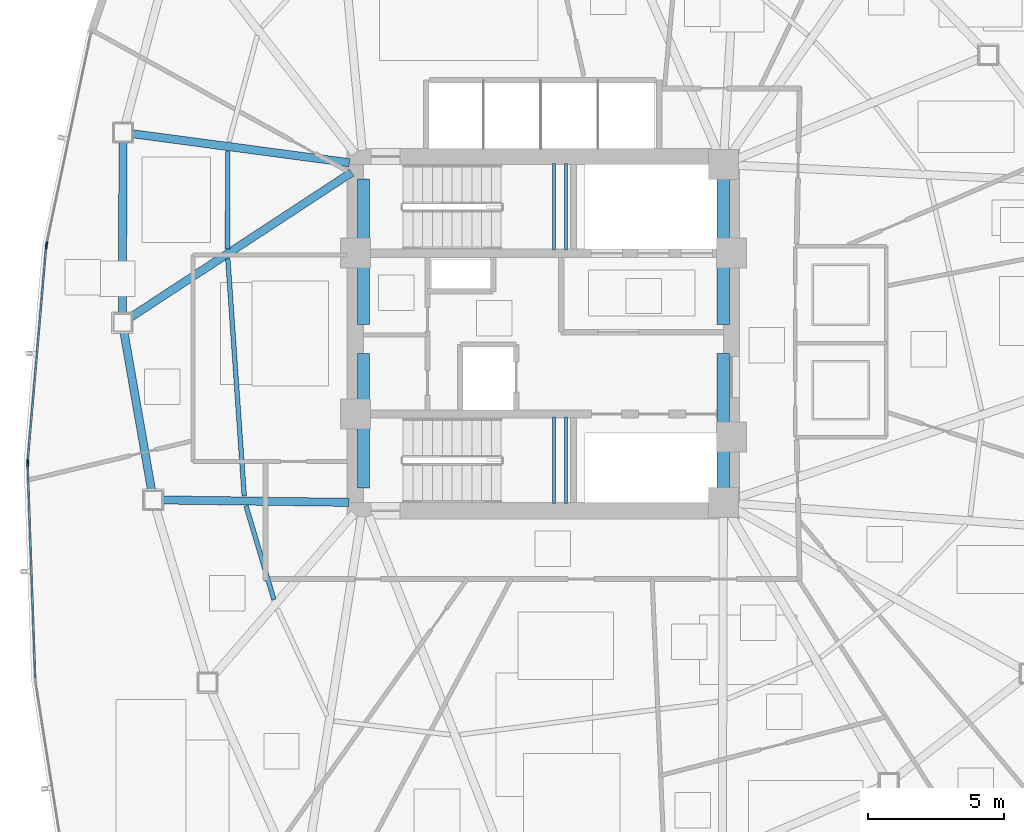
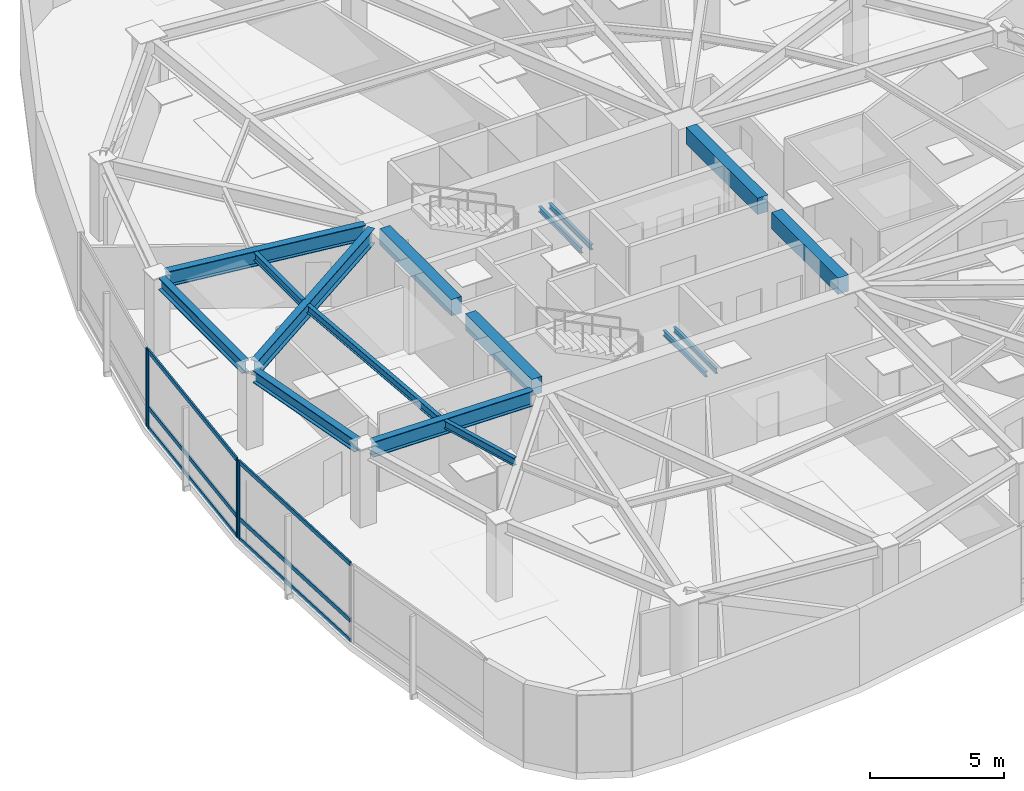
# One storey, part 4 of 17: 16 beams, 10 members, 3 elements without a shape of their own.
"""IFC4 building model written with IfcOpenShell, lengths in metres."""

from ifc_helpers import new_model, si_unit, direction, frame, origin, origin_2d, place, context, subcontext, project, spatial, rectangle, hollow_rectangle, i_section, extrude, source, transform, mapped, material, layer, layer_set, material_profile, profile_set, type_object, type_shapes, element, aggregate, save


model = new_model("IFC4")

# Units and contexts
model_context = context("Model", 3, precision=1e-05, world=origin(), true_north=direction((0.0, 1.0)))
body_context = subcontext(model_context, "Body", "Model", "MODEL_VIEW")
ifc_project = project(units=[si_unit("LENGTHUNIT", "METRE"), si_unit("AREAUNIT", "SQUARE_METRE"), si_unit("VOLUMEUNIT", "CUBIC_METRE"), si_unit("PLANEANGLEUNIT", "RADIAN"), si_unit("MASSUNIT", "GRAM", prefix="KILO")], contexts=[model_context])

# Site, building, storey
site_placement = place(None, origin())
site = spatial("IfcSite", under=ifc_project, at=site_placement, CompositionType="ELEMENT")
building_placement = place(site_placement, origin())
building = spatial("IfcBuilding", under=site, at=building_placement, Name="Tavelor Broadcast Tower", CompositionType="ELEMENT")
storey_placement = place(building_placement, frame((0.0, 0.0, 123.300048828125)))
storey = spatial("IfcBuildingStorey", under=building, at=storey_placement, Name="L28", CompositionType="ELEMENT", Elevation=123.300048828125)

# Beams
ifc_material_1 = material(Name="Concrete C40/50", Category="concrete")
ifc_material_profile_1 = material_profile(ifc_material_1, rectangle(XDim=0.449951171875, YDim=0.75, at=origin_2d()), Name="RC 450x750")
ifc_profile_set_1 = profile_set([ifc_material_profile_1], Name="Concrete C40/50")
beam_type_1 = type_object("IfcBeamType", Name="Basement Core Trim Beam 450x750", PredefinedType="BEAM", material=ifc_profile_set_1)
for number, where, z_axis, x_axis, name in (
    (1, (43.39990234375, 45.327880859375, 3.175048828125), (0.0, 1.0, 0.0), (-1.0, 0.0, 0.0), "L28 Core West-N Tie Girder"),
    (2, (56.60009765625, 45.327880859375, 3.175048828125), (0.0, 1.0, 0.0), (-1.0, 0.0, 0.0), "L28 Core East-N Tie Girder"),
):
    element("IfcBeam", number, at=place(storey_placement, frame(where, z_axis=z_axis, x_axis=x_axis)), inside=storey, type_object=beam_type_1, Name=name, PredefinedType="BEAM", context=body_context, shape_type="SweptSolid", body=[
        extrude(rectangle(XDim=0.449951171875, YDim=0.75, at=origin_2d()), origin(), (0.0, 0.0, 1.0), 5.34423828125),
    ])
for number, where, z_axis, x_axis, name in (
    (3, (43.39990234375, 39.327880859375, 3.175048828125), (0.0, 1.0, 0.0), (-1.0, 0.0, 0.0), "L28 Core West-S Tie Girder"),
    (4, (56.60009765625, 39.327880859375, 3.175048828125), (0.0, 1.0, 0.0), (-1.0, 0.0, 0.0), "L28 Core East-S Tie Girder"),
):
    element("IfcBeam", number, at=place(storey_placement, frame(where, z_axis=z_axis, x_axis=x_axis)), inside=storey, type_object=beam_type_1, Name=name, PredefinedType="BEAM", context=body_context, shape_type="SweptSolid", body=[
        extrude(rectangle(XDim=0.449951171875, YDim=0.75, at=origin_2d()), origin(), (0.0, 0.0, 1.0), 4.944091796875),
    ])
ifc_material_2 = material(Name="Steel S355", Category="steel")
ifc_material_profile_2 = material_profile(ifc_material_2, i_section(OverallWidth=0.169921875, OverallDepth=0.360107421875, WebThickness=0.008056640625, FlangeThickness=0.0126953125, at=origin_2d()), Name="IPE 360")
ifc_profile_set_2 = profile_set([ifc_material_profile_2], Name="Steel S355")
beam_type_2 = type_object("IfcBeamType", Name="Composite Floor Joist T3 IPE 360", PredefinedType="JOIST", material=ifc_profile_set_2)
beam_1_placement = place(storey_placement, frame((38.413818359375, 51.685302734375, 3.369873046875), z_axis=(-0.002320654457, -0.999997307278, 0.0), x_axis=(0.999997307278, -0.002320654457, 0.0)))
element("IfcBeam", 5, at=beam_1_placement, inside=storey, type_object=beam_type_2, Name="L28 Secondary Composite Floor Joist 03", PredefinedType="JOIST", context=body_context, shape_type="SweptSolid", body=[
    extrude(i_section(OverallWidth=0.169921875, OverallDepth=0.360107421875, WebThickness=0.008056640625, FlangeThickness=0.0126953125, at=origin_2d()), origin(), (0.0, 0.0, 1.0), 3.576904296875),
])
beam_2_placement = place(storey_placement, frame((38.41748046875, 47.74658203125, 3.369873046875), z_axis=(0.069100565304, -0.997609699168, 0.0), x_axis=(0.997609699168, 0.069100565304, 0.0)))
element("IfcBeam", 6, at=beam_2_placement, inside=storey, type_object=beam_type_2, Name="L28 Secondary Composite Floor Joist 04", PredefinedType="JOIST", context=body_context, shape_type="SweptSolid", body=[
    extrude(i_section(OverallWidth=0.169921875, OverallDepth=0.360107421875, WebThickness=0.008056640625, FlangeThickness=0.0126953125, at=origin_2d()), origin(), (0.0, 0.0, 1.0), 8.730224609375),
])
beam_3_placement = place(storey_placement, frame((39.084716796875, 38.68310546875, 3.369873046875), z_axis=(0.285203072184, -0.958467113477, 0.0), x_axis=(0.958467113477, 0.285203072184, 0.0)))
element("IfcBeam", 7, at=beam_3_placement, inside=storey, type_object=beam_type_2, Name="L28 Secondary Composite Floor Joist 05", PredefinedType="JOIST", context=body_context, shape_type="SweptSolid", body=[
    extrude(i_section(OverallWidth=0.169921875, OverallDepth=0.360107421875, WebThickness=0.008056640625, FlangeThickness=0.0126953125, at=origin_2d()), origin(), (0.0, 0.0, 1.0), 3.593505859375),
])
ifc_material_profile_3 = material_profile(ifc_material_2, i_section(OverallWidth=0.300048828125, OverallDepth=0.550048828125, WebThickness=0.014892578125, FlangeThickness=0.029052734375, at=origin_2d()), Name="HEB 550")
ifc_profile_set_3 = profile_set([ifc_material_profile_3], Name="Steel S355")
beam_type_3 = type_object("IfcBeamType", Name="Perimeter Spandrel Beam T3 HEB 550", PredefinedType="SPANDREL", material=ifc_profile_set_3)
beam_4_placement = place(storey_placement, frame((34.57373046875, 52.043212890625, 3.27490234375), z_axis=(-0.00410245019, -0.999991584916, 0.0), x_axis=(0.999991584916, -0.00410245019, 0.0)))
element("IfcBeam", 8, at=beam_4_placement, inside=storey, type_object=beam_type_3, Name="L28 Framed-Tube Ring Spandrel 03", PredefinedType="SPANDREL", context=body_context, shape_type="SweptSolid", body=[
    extrude(i_section(OverallWidth=0.300048828125, OverallDepth=0.550048828125, WebThickness=0.014892578125, FlangeThickness=0.029052734375, at=origin_2d()), origin(), (0.0, 0.0, 1.0), 6.30810546875),
])
beam_5_placement = place(storey_placement, frame((34.604248046875, 45.068115234375, 3.27490234375), z_axis=(0.17197754126, -0.985100870623, 0.0), x_axis=(0.985100870623, 0.17197754126, 0.0)))
element("IfcBeam", 9, at=beam_5_placement, inside=storey, type_object=beam_type_3, Name="L28 Framed-Tube Ring Spandrel 04", PredefinedType="SPANDREL", context=body_context, shape_type="SweptSolid", body=[
    extrude(i_section(OverallWidth=0.300048828125, OverallDepth=0.550048828125, WebThickness=0.014892578125, FlangeThickness=0.029052734375, at=origin_2d()), origin(), (0.0, 0.0, 1.0), 5.925537109375),
])
ifc_material_profile_4 = material_profile(ifc_material_2, i_section(OverallWidth=0.300048828125, OverallDepth=0.68994140625, WebThickness=0.014404296875, FlangeThickness=0.027099609375, at=origin_2d()), Name="HEA 700")
ifc_profile_set_4 = profile_set([ifc_material_profile_4], Name="Steel S355")
beam_type_4 = type_object("IfcBeamType", Name="Radial Floor Girder T3 HEA 700", PredefinedType="BEAM", material=ifc_profile_set_4)
beam_6_placement = place(storey_placement, frame((42.876708984375, 51.27001953125, 3.204833984375), z_axis=(-0.991191527329, 0.132436234281, 0.0), x_axis=(-0.132436234281, -0.991191527329, 0.0)))
element("IfcBeam", 10, at=beam_6_placement, inside=storey, type_object=beam_type_4, Name="L28 Radial Primary Floor Girder 03", PredefinedType="BEAM", context=body_context, shape_type="SweptSolid", body=[
    extrude(i_section(OverallWidth=0.300048828125, OverallDepth=0.68994140625, WebThickness=0.014404296875, FlangeThickness=0.027099609375, at=origin_2d()), origin(), (0.0, 0.0, 1.0), 8.039306640625),
])
beam_7_placement = place(storey_placement, frame((42.95849609375, 50.91064453125, 3.204833984375), z_axis=(-0.836455571638, -0.548034740391, 0.0), x_axis=(0.548034740391, -0.836455571638, 0.0)))
element("IfcBeam", 11, at=beam_7_placement, inside=storey, type_object=beam_type_4, Name="L28 Radial Primary Floor Girder 04", PredefinedType="BEAM", context=body_context, shape_type="SweptSolid", body=[
    extrude(i_section(OverallWidth=0.300048828125, OverallDepth=0.68994140625, WebThickness=0.014404296875, FlangeThickness=0.027099609375, at=origin_2d()), origin(), (0.0, 0.0, 1.0), 9.720947265625),
])
beam_8_placement = place(storey_placement, frame((42.8720703125, 38.806884765625, 3.204833984375), z_axis=(-0.999916440376, 0.012927190963, 0.0), x_axis=(-0.012927190963, -0.999916440376, 0.0)))
element("IfcBeam", 12, at=beam_8_placement, inside=storey, type_object=beam_type_4, Name="L28 Radial Primary Floor Girder 05", PredefinedType="BEAM", context=body_context, shape_type="SweptSolid", body=[
    extrude(i_section(OverallWidth=0.300048828125, OverallDepth=0.68994140625, WebThickness=0.014404296875, FlangeThickness=0.027099609375, at=origin_2d()), origin(), (0.0, 0.0, 1.0), 6.85546875),
])
ifc_material_profile_5 = material_profile(ifc_material_2, i_section(OverallWidth=0.1201171875, OverallDepth=0.239990234375, WebThickness=0.006103515625, FlangeThickness=0.009765625, at=origin_2d()), Name="IPE 240")
ifc_profile_set_5 = profile_set([ifc_material_profile_5], Name="Steel S355")
beam_type_5 = type_object("IfcBeamType", Name="Stairwell Landing Support Trimmer Beam IPE240", PredefinedType="BEAM", material=ifc_profile_set_5)
for number, where, z_axis, x_axis, name in (
    (13, (50.385009765625, 48.06005859375, 1.60986328125), (0.0, 1.0, 0.0), (-1.0, 0.0, 0.0), "L28 Stair Landing Support Beam 89"),
    (14, (50.824951171875, 48.06005859375, 1.60986328125), (0.0, 1.0, 0.0), (-1.0, 0.0, 0.0), "L28 Stair Landing Support Beam 90"),
    (15, (50.385009765625, 38.760009765625, 1.60986328125), (0.0, 1.0, 0.0), (-1.0, 0.0, 0.0), "L28 Stair Landing Support Beam 303"),
    (16, (50.824951171875, 38.760009765625, 1.60986328125), (0.0, 1.0, 0.0), (-1.0, 0.0, 0.0), "L28 Stair Landing Support Beam 304"),
):
    element("IfcBeam", number, at=place(storey_placement, frame(where, z_axis=z_axis, x_axis=x_axis)), inside=storey, type_object=beam_type_5, Name=name, PredefinedType="BEAM", context=body_context, shape_type="SweptSolid", body=[
        extrude(i_section(OverallWidth=0.1201171875, OverallDepth=0.239990234375, WebThickness=0.006103515625, FlangeThickness=0.009765625, at=origin_2d()), origin(), (0.0, 0.0, 1.0), 3.179931640625),
    ])

# Curtain wall, member
ifc_material_3 = material(Name="Architectural Anodized Aluminium", Category="aluminium")
ifc_layer = layer(ifc_material_3, 0.18994140625)
ifc_layer_set = layer_set([ifc_layer], Name="Architectural Anodized Aluminium")
curtain_wall_type = type_object("IfcCurtainWallType", Name="Tower Mid-Zone Acoustic Curtain Wall CW03", PredefinedType="NOTDEFINED", material=ifc_layer_set)
curtain_wall_1_placement = place(storey_placement, origin())
curtain_wall_1 = element("IfcCurtainWall", 17, at=curtain_wall_1_placement, inside=storey, type_object=curtain_wall_type, Name="L28 Curtain Wall CW03 Run 277", PredefinedType="NOTDEFINED")
ifc_material_profile_6 = material_profile(ifc_material_3, hollow_rectangle(XDim=0.068115234375, YDim=0.18994140625, WallThickness=0.02197265625, at=origin_2d()), Name="RHS 68x190x22")
ifc_profile_set_6 = profile_set([ifc_material_profile_6], Name="Architectural Anodized Aluminium")
member_type_1 = type_object("IfcMemberType", Name="CW03 Extruded Aluminium Mullion 68x190", PredefinedType="MULLION", material=ifc_profile_set_6)
shared_shape_1 = source(origin(), body_context, "Body", "SweptSolid", [
    extrude(hollow_rectangle(XDim=0.068115234375, YDim=0.18994140625, WallThickness=0.02197265625, at=origin_2d()), origin(), (0.0, 0.0, 1.0), 3.550048828125),
])
type_shapes(member_type_1, [shared_shape_1])
member_1_placement = place(storey_placement, frame((31.7685546875, 48.273193359375, 0.0), z_axis=(0.0, 0.0, 1.0), x_axis=(0.978597804407, -0.205782256789, 0.0)))
member_1 = element("IfcMember", 18, at=member_1_placement, type_object=member_type_1, Name="CW03 mullion 2", PredefinedType="MULLION", context=body_context, shape_type="MappedRepresentation", body=[
    mapped(shared_shape_1, transform((0.0, 0.0, 0.0), scale=1.0)),
])
aggregate(curtain_wall_1, [member_1])

# Curtain wall, members
curtain_wall_2_placement = place(storey_placement, origin())
curtain_wall_2 = element("IfcCurtainWall", 19, at=curtain_wall_2_placement, inside=storey, type_object=curtain_wall_type, Name="L28 Curtain Wall CW03 Run 278", PredefinedType="NOTDEFINED")
member_2_placement = place(storey_placement, frame((31.75439453125, 48.176513671875, 0.0), z_axis=(0.0, 0.0, 1.0), x_axis=(0.99630716044, -0.085860596646, 0.0)))
member_2 = element("IfcMember", 20, at=member_2_placement, type_object=member_type_1, Name="CW03 mullion 1", PredefinedType="MULLION", context=body_context, shape_type="MappedRepresentation", body=[
    mapped(shared_shape_1, transform((0.0, 0.0, 0.0), scale=1.0)),
])
member_3_placement = place(storey_placement, frame((31.076904296875, 40.316650390625, 0.0), z_axis=(0.0, 0.0, 1.0), x_axis=(0.99630716044, -0.085860596646, 0.0)))
member_3 = element("IfcMember", 21, at=member_3_placement, type_object=member_type_1, Name="CW03 mullion 2", PredefinedType="MULLION", context=body_context, shape_type="MappedRepresentation", body=[
    mapped(shared_shape_1, transform((0.0, 0.0, 0.0), scale=1.0)),
])

# Curtain wall, member
curtain_wall_3_placement = place(storey_placement, origin())
curtain_wall_3 = element("IfcCurtainWall", 22, at=curtain_wall_3_placement, inside=storey, type_object=curtain_wall_type, Name="L28 Curtain Wall CW03 Run 279", PredefinedType="NOTDEFINED")
member_4_placement = place(storey_placement, frame((31.074462890625, 40.21875, 0.0), z_axis=(0.0, 0.0, 1.0), x_axis=(0.999374487535, 0.035364299293, 0.0)))
member_4 = element("IfcMember", 23, at=member_4_placement, type_object=member_type_1, Name="CW03 mullion 1", PredefinedType="MULLION", context=body_context, shape_type="MappedRepresentation", body=[
    mapped(shared_shape_1, transform((0.0, 0.0, 0.0), scale=1.0)),
])

# Member
ifc_material_profile_7 = material_profile(ifc_material_3, hollow_rectangle(XDim=0.068115234375, YDim=0.18994140625, WallThickness=0.02197265625, at=origin_2d()), Name="RHS 68x190x22")
ifc_profile_set_7 = profile_set([ifc_material_profile_7], Name="Architectural Anodized Aluminium")
member_type_2 = type_object("IfcMemberType", Name="CW03 Extruded Aluminium Transom 68x190", PredefinedType="USERDEFINED", material=ifc_profile_set_7)
shared_shape_2 = source(origin(), body_context, "Body", "SweptSolid", [
    extrude(hollow_rectangle(XDim=0.068115234375, YDim=0.18994140625, WallThickness=0.02197265625, at=origin_2d()), origin(), (0.0, 0.0, 1.0), 7.821044921875),
])
type_shapes(member_type_2, [shared_shape_2])
member_5_placement = place(storey_placement, frame((31.75146484375, 48.142578125, 0.033935546875), z_axis=(-0.085873917973, -0.996306012334, 0.0), x_axis=(0.996306012334, -0.085873917973, 0.0)))
member_5 = element("IfcMember", 24, at=member_5_placement, type_object=member_type_2, Name="CW03 transom 1.1", ObjectType="TRANSOM", PredefinedType="USERDEFINED", context=body_context, shape_type="MappedRepresentation", body=[
    mapped(shared_shape_2, transform((0.0, 0.0, 0.0), scale=1.0)),
])

member_6_placement = place(storey_placement, frame((31.75146484375, 48.142578125, 0.949951171875), z_axis=(-0.085873917973, -0.996306012334, 0.0), x_axis=(0.996306012334, -0.085873917973, 0.0)))
member_6 = element("IfcMember", 25, at=member_6_placement, type_object=member_type_2, Name="CW03 transom 1.2", ObjectType="TRANSOM", PredefinedType="USERDEFINED", context=body_context, shape_type="MappedRepresentation", body=[
    mapped(shared_shape_2, transform((0.0, 0.0, 0.0), scale=1.0)),
])

member_7_placement = place(storey_placement, frame((31.75146484375, 48.142578125, 3.515869140625), z_axis=(-0.085873917973, -0.996306012334, 0.0), x_axis=(0.996306012334, -0.085873917973, 0.0)))
member_7 = element("IfcMember", 26, at=member_7_placement, type_object=member_type_2, Name="CW03 transom 1.3", ObjectType="TRANSOM", PredefinedType="USERDEFINED", context=body_context, shape_type="MappedRepresentation", body=[
    mapped(shared_shape_2, transform((0.0, 0.0, 0.0), scale=1.0)),
])

aggregate(curtain_wall_2, [member_2, member_3, member_5, member_6, member_7])

member_8_placement = place(storey_placement, frame((31.07568359375, 40.184814453125, 0.033935546875), z_axis=(0.035367520388, -0.999374373547, 0.0), x_axis=(0.999374373547, 0.035367520388, 0.0)))
member_8 = element("IfcMember", 27, at=member_8_placement, type_object=member_type_2, Name="CW03 transom 1.1", ObjectType="TRANSOM", PredefinedType="USERDEFINED", context=body_context, shape_type="MappedRepresentation", body=[
    mapped(shared_shape_2, transform((0.0, 0.0, 0.0), scale=1.0)),
])

member_9_placement = place(storey_placement, frame((31.07568359375, 40.184814453125, 0.949951171875), z_axis=(0.035367520388, -0.999374373547, 0.0), x_axis=(0.999374373547, 0.035367520388, 0.0)))
member_9 = element("IfcMember", 28, at=member_9_placement, type_object=member_type_2, Name="CW03 transom 1.2", ObjectType="TRANSOM", PredefinedType="USERDEFINED", context=body_context, shape_type="MappedRepresentation", body=[
    mapped(shared_shape_2, transform((0.0, 0.0, 0.0), scale=1.0)),
])

member_10_placement = place(storey_placement, frame((31.07568359375, 40.184814453125, 3.515869140625), z_axis=(0.035367520388, -0.999374373547, 0.0), x_axis=(0.999374373547, 0.035367520388, 0.0)))
member_10 = element("IfcMember", 29, at=member_10_placement, type_object=member_type_2, Name="CW03 transom 1.3", ObjectType="TRANSOM", PredefinedType="USERDEFINED", context=body_context, shape_type="MappedRepresentation", body=[
    mapped(shared_shape_2, transform((0.0, 0.0, 0.0), scale=1.0)),
])

aggregate(curtain_wall_3, [member_4, member_8, member_9, member_10])

save(model, "model.ifc")
